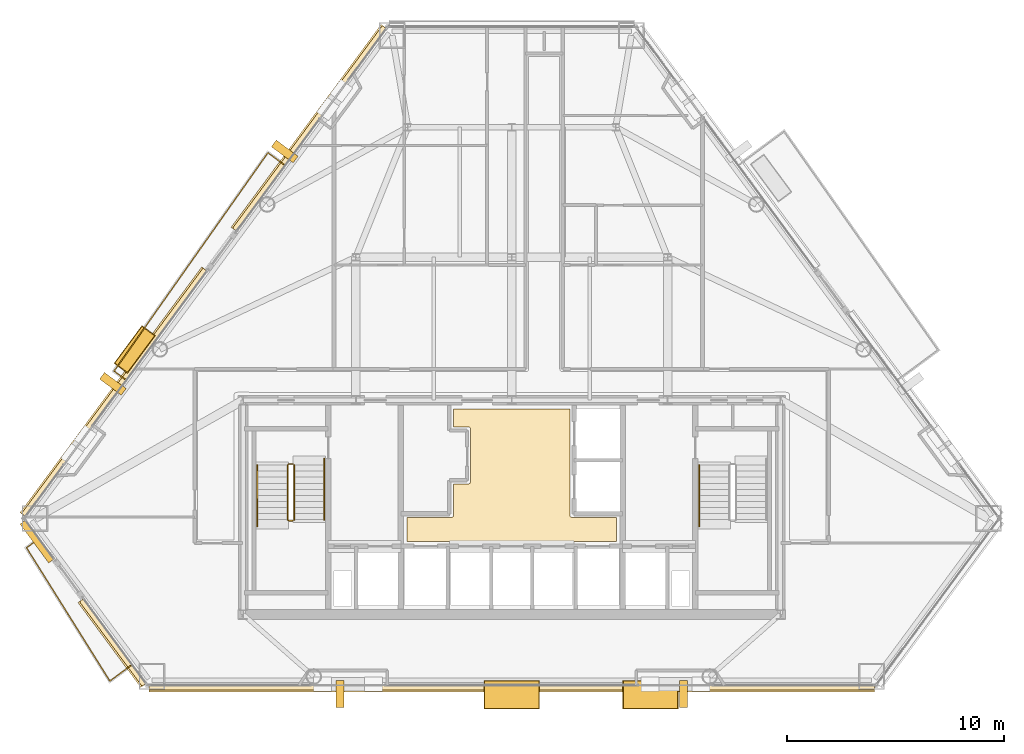
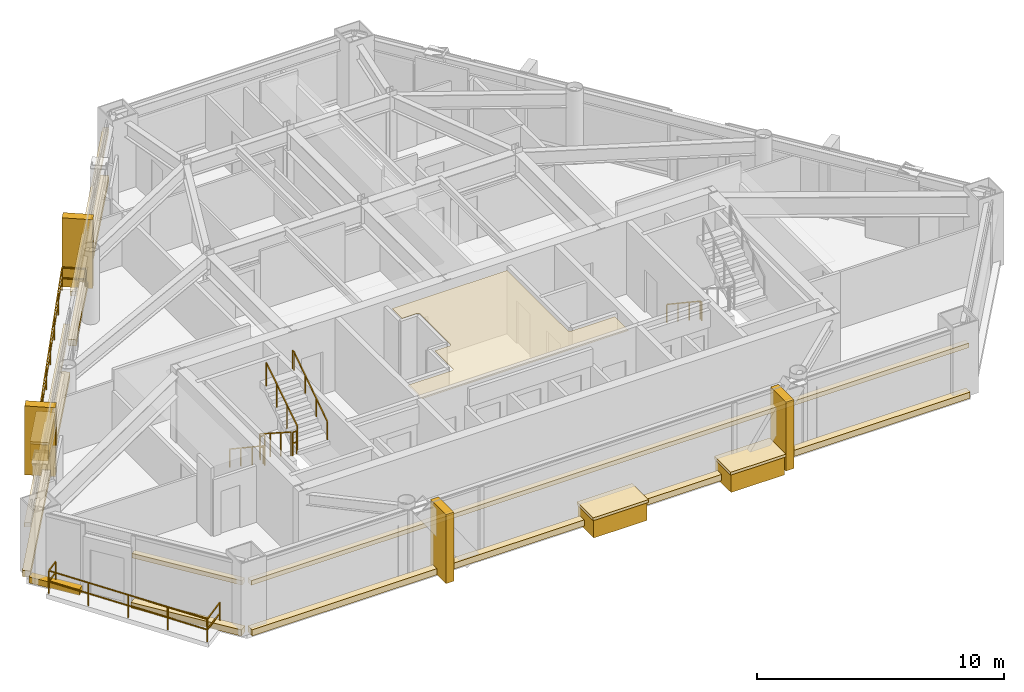
# One storey, part 10 of 11: 20 coverings, 9 railings.
"""IFC4 building model written with IfcOpenShell, lengths in metres."""

from ifc_helpers import new_model, si_unit, direction, frame, origin, origin_2d, place, context, subcontext, project, spatial, polyline, rectangle, outline, extrude, material, layer, layer_set, type_object, element, save


model = new_model("IFC4")

# Units and contexts
model_context = context("Model", 3, precision=1e-05, world=origin(), true_north=direction((0.0, 1.0)))
body_context = subcontext(model_context, "Body", "Model", "MODEL_VIEW")
ifc_project = project(units=[si_unit("LENGTHUNIT", "METRE"), si_unit("AREAUNIT", "SQUARE_METRE"), si_unit("VOLUMEUNIT", "CUBIC_METRE"), si_unit("PLANEANGLEUNIT", "RADIAN"), si_unit("MASSUNIT", "GRAM", prefix="KILO")], contexts=[model_context])

# Site, building, storey
site_placement = place(None, origin())
site = spatial("IfcSite", under=ifc_project, at=site_placement, CompositionType="ELEMENT")
building_placement = place(site_placement, origin())
building = spatial("IfcBuilding", under=site, at=building_placement, Name="Talgorran Terracotta Tower", CompositionType="ELEMENT")
storey_placement = place(building_placement, frame((0.0, 0.0, 122.10009765625)))
storey = spatial("IfcBuildingStorey", under=building, at=storey_placement, Name="L31", CompositionType="ELEMENT", Elevation=122.10009765625)

# Coverings
ifc_material_1 = material(Name="Kiln-Fired Terracotta Ochre Ceramic", Category="masonry")
ifc_layer_1 = layer(ifc_material_1, 0.179931640625, Name="COV_BAGUETTE_TERRACOTTA_SCREEN")
ifc_layer_set_1 = layer_set([ifc_layer_1], Name="Kiln-Fired Terracotta Ochre Ceramic")
covering_type_1 = type_object("IfcCoveringType", Name="COV_BAGUETTE_TERRACOTTA_SCREEN", PredefinedType="CLADDING", material=ifc_layer_set_1)
covering_1_placement = place(storey_placement, frame((-18.408203125, -15.384033203125, 2.41015625), z_axis=(0.0, 0.0, 1.0), x_axis=(0.594640382106, -0.803991800934, 0.0)))
element("IfcCovering", 1, at=covering_1_placement, inside=storey, type_object=covering_type_1, Name="L31 Terracotta Baguette Solar Screen Assembly F11", PredefinedType="CLADDING", context=body_context, shape_type="SweptSolid", body=[
    extrude(rectangle(XDim=4.851318359375, YDim=0.260009765625, at=origin_2d()), origin(), (0.0, 0.0, 1.0), 0.219970703125),
])
covering_2_placement = place(storey_placement, frame((0.0, -17.46337890625, 2.41015625), z_axis=(0.0, 0.0, 1.0), x_axis=(1.0, 0.0, 0.0)))
element("IfcCovering", 2, at=covering_2_placement, inside=storey, type_object=covering_type_1, Name="L31 Terracotta Baguette Solar Screen Assembly F1", PredefinedType="CLADDING", context=body_context, shape_type="SweptSolid", body=[
    extrude(rectangle(XDim=33.5, YDim=0.260009765625, at=origin_2d()), origin(), (0.0, 0.0, 1.0), 0.219970703125),
])
covering_3_placement = place(storey_placement, frame((-9.326904296875, 8.3388671875, 2.41015625), z_axis=(0.0, 0.0, 1.0), x_axis=(-0.594640382106, -0.803991800934, 0.0)))
element("IfcCovering", 3, at=covering_3_placement, inside=storey, type_object=covering_type_1, Name="L31 Terracotta Baguette Solar Screen Assembly F60", PredefinedType="CLADDING", context=body_context, shape_type="SweptSolid", body=[
    extrude(rectangle(XDim=11.626953125, YDim=0.260009765625, at=origin_2d()), origin(), (0.0, 0.0, 1.0), 0.219970703125),
])
covering_4_placement = place(storey_placement, frame((-18.34130859375, -3.84912109375, 2.41015625), z_axis=(0.0, 0.0, 1.0), x_axis=(-0.594640382106, -0.803991800934, 0.0)))
element("IfcCovering", 4, at=covering_4_placement, inside=storey, type_object=covering_type_1, Name="L31 Terracotta Baguette Solar Screen Assembly F61", PredefinedType="CLADDING", context=body_context, shape_type="SweptSolid", body=[
    extrude(rectangle(XDim=14.091796875, YDim=0.260009765625, at=origin_2d()), origin(), (0.0, 0.0, 1.0), 0.219970703125),
])
ifc_material_2 = material(Name="Flush Moisture-Resistant Plaster")
ifc_layer_2 = layer(ifc_material_2, 0.01806640625, Name="COV_CEIL_PLASTER")
ifc_layer_set_2 = layer_set([ifc_layer_2], Name="Flush Moisture-Resistant Plaster")
covering_type_2 = type_object("IfcCoveringType", Name="COV_CEIL_PLASTER", PredefinedType="CEILING", material=ifc_layer_set_2)
covering_5_placement = place(storey_placement, frame((0.0, 0.0, 3.260009765625)))
element("IfcCovering", 5, at=covering_5_placement, inside=storey, type_object=covering_type_2, Name="CEIL-L31-1", PredefinedType="CEILING", context=body_context, shape_type="SweptSolid", body=[
    extrude(outline(polyline([(2.679931640625, -4.6201171875), (2.679931640625, -9.5), (2.6806640625, -9.51171875), (2.682373046875, -9.5234375), (2.685302734375, -9.534912109375), (2.689208984375, -9.5458984375), (2.694091796875, -9.556640625), (2.7001953125, -9.566650390625), (2.707275390625, -9.576171875), (2.715087890625, -9.5849609375), (2.723876953125, -9.5927734375), (2.7333984375, -9.599853515625), (2.743408203125, -9.605712890625), (2.754150390625, -9.61083984375), (2.76513671875, -9.61474609375), (2.776611328125, -9.61767578125), (2.7880859375, -9.619384765625), (2.800048828125, -9.6201171875), (4.830078125, -9.6201171875), (4.830078125, -10.72998046875), (-4.830078125, -10.72998046875), (-4.830078125, -9.6201171875), (-2.800048828125, -9.6201171875), (-2.7880859375, -9.619384765625), (-2.776611328125, -9.61767578125), (-2.76513671875, -9.61474609375), (-2.754150390625, -9.61083984375), (-2.743408203125, -9.605712890625), (-2.7333984375, -9.599853515625), (-2.723876953125, -9.5927734375), (-2.715087890625, -9.5849609375), (-2.707275390625, -9.576171875), (-2.7001953125, -9.566650390625), (-2.694091796875, -9.556640625), (-2.689208984375, -9.5458984375), (-2.685302734375, -9.534912109375), (-2.682373046875, -9.5234375), (-2.6806640625, -9.51171875), (-2.679931640625, -9.5), (-2.679931640625, -8.070068359375), (-2.02001953125, -8.070068359375), (-2.00830078125, -8.0693359375), (-1.99658203125, -8.067626953125), (-1.985107421875, -8.064697265625), (-1.97412109375, -8.060791015625), (-1.96337890625, -8.055908203125), (-1.953369140625, -8.0498046875), (-1.94384765625, -8.042724609375), (-1.93505859375, -8.034912109375), (-1.92724609375, -8.026123046875), (-1.920166015625, -8.0166015625), (-1.914306640625, -8.006591796875), (-1.9091796875, -7.995849609375), (-1.9052734375, -7.98486328125), (-1.90234375, -7.973388671875), (-1.900634765625, -7.9619140625), (-1.89990234375, -7.949951171875), (-1.89990234375, -5.550048828125), (-1.900634765625, -5.5380859375), (-1.90234375, -5.526611328125), (-1.9052734375, -5.51513671875), (-1.9091796875, -5.504150390625), (-1.914306640625, -5.493408203125), (-1.920166015625, -5.4833984375), (-1.92724609375, -5.473876953125), (-1.93505859375, -5.465087890625), (-1.94384765625, -5.457275390625), (-1.953369140625, -5.4501953125), (-1.96337890625, -5.444091796875), (-1.97412109375, -5.439208984375), (-1.985107421875, -5.435302734375), (-1.99658203125, -5.432373046875), (-2.00830078125, -5.4306640625), (-2.02001953125, -5.429931640625), (-2.679931640625, -5.429931640625), (-2.679931640625, -4.6201171875), (2.679931640625, -4.6201171875)])), origin(), (0.0, 0.0, 1.0), 0.019775390625),
])
ifc_material_3 = material(Name="Honed Limestone and Terracotta Planter", Category="masonry")
ifc_layer_3 = layer(ifc_material_3, 0.1201171875, Name="COV_PLANTER_BOX")
ifc_layer_set_3 = layer_set([ifc_layer_3], Name="Honed Limestone and Terracotta Planter")
covering_type_3 = type_object("IfcCoveringType", Name="COV_PLANTER_BOX", PredefinedType="CLADDING", material=ifc_layer_set_3)
for number, where, z_axis, x_axis, name in (
    (6, (0.0, -17.80322265625, -0.18017578125), (0.0, 0.0, 1.0), (1.0, 0.0, 0.0), "L31 Staggered South Facade Planter Box 1"),
    (7, (6.41455078125, -17.80322265625, -0.18017578125), (0.0, 0.0, 1.0), (1.0, 0.0, 0.0), "L31 Staggered South Facade Planter Box 2"),
):
    element("IfcCovering", number, at=place(storey_placement, frame(where, z_axis=z_axis, x_axis=x_axis)), inside=storey, type_object=covering_type_3, Name=name, PredefinedType="CLADDING", context=body_context, shape_type="SweptSolid", body=[
        extrude(rectangle(XDim=2.5, YDim=1.25, at=origin_2d()), origin(), (0.0, 0.0, 1.0), 0.919921875),
    ])
covering_6_placement = place(storey_placement, frame((-17.41015625, -1.858642578125, -0.02001953125), z_axis=(0.0, 0.0, 1.0), x_axis=(-0.594640382106, -0.803991800934, 0.0)))
element("IfcCovering", 8, at=covering_6_placement, inside=storey, type_object=covering_type_3, Name="L31 Staggered Balcony Planter Box BAL-NW", PredefinedType="CLADDING", context=body_context, shape_type="SweptSolid", body=[
    extrude(rectangle(XDim=2.10009765625, YDim=0.719970703125, at=origin_2d()), origin(), (0.0, 0.0, 1.0), 0.860107421875),
])
ifc_material_4 = material(Name="Kiln-Fired Terracotta Planter Rim", Category="masonry")
ifc_layer_4 = layer(ifc_material_4, 0.10009765625, Name="COV_PLANTER_RIM")
ifc_layer_set_4 = layer_set([ifc_layer_4], Name="Kiln-Fired Terracotta Planter Rim")
covering_type_4 = type_object("IfcCoveringType", Name="COV_PLANTER_RIM", PredefinedType="CLADDING", material=ifc_layer_set_4)
for number, where, z_axis, x_axis, name in (
    (9, (0.0, -17.80322265625, 0.7099609375), (0.0, 0.0, 1.0), (1.0, 0.0, 0.0), "L31 South Planter Terracotta Rim 1"),
    (10, (6.41455078125, -17.80322265625, 0.7099609375), (0.0, 0.0, 1.0), (1.0, 0.0, 0.0), "L31 South Planter Terracotta Rim 2"),
):
    element("IfcCovering", number, at=place(storey_placement, frame(where, z_axis=z_axis, x_axis=x_axis)), inside=storey, type_object=covering_type_4, Name=name, PredefinedType="CLADDING", context=body_context, shape_type="SweptSolid", body=[
        extrude(rectangle(XDim=2.580078125, YDim=1.320068359375, at=origin_2d()), origin(), (0.0, 0.0, 1.0), 0.139892578125),
    ])
covering_7_placement = place(storey_placement, frame((-17.41015625, -1.858642578125, 0.7998046875), z_axis=(0.0, 0.0, 1.0), x_axis=(-0.594640382106, -0.803991800934, 0.0)))
element("IfcCovering", 11, at=covering_7_placement, inside=storey, type_object=covering_type_4, Name="L31 Balcony Planter Terracotta Rim BAL-NW", PredefinedType="CLADDING", context=body_context, shape_type="SweptSolid", body=[
    extrude(rectangle(XDim=2.179931640625, YDim=0.780029296875, at=origin_2d()), origin(), (0.0, 0.0, 1.0), 0.1201171875),
])
ifc_material_5 = material(Name="Honed Limestone Cladding", Category="masonry")
ifc_layer_5 = layer(ifc_material_5, 0.094970703125, Name="COV_PORTAL_LIME")
ifc_layer_set_5 = layer_set([ifc_layer_5], Name="Honed Limestone Cladding")
covering_type_5 = type_object("IfcCoveringType", Name="COV_PORTAL_LIME", PredefinedType="CLADDING", material=ifc_layer_set_5)
for number, where, z_axis, x_axis, name in (
    (12, (-7.933837890625, -17.76318359375, -0.050048828125), (0.0, 0.0, 1.0), (1.0, 0.0, 0.0), "L31 White Striped Portal Fin F1-1"),
    (13, (-10.483154296875, 7.280029296875, -0.050048828125), (0.0, 0.0, 1.0), (-0.594640382106, -0.803991800934, 0.0), "L31 White Striped Portal Fin F5-1"),
):
    element("IfcCovering", number, at=place(storey_placement, frame(where, z_axis=z_axis, x_axis=x_axis)), inside=storey, type_object=covering_type_5, Name=name, PredefinedType="CLADDING", context=body_context, shape_type="SweptSolid", body=[
        extrude(rectangle(XDim=0.3798828125, YDim=1.25, at=origin_2d()), origin(), (0.0, 0.0, 1.0), 3.39990234375),
    ])
ifc_material_6 = material(Name="Kiln-Fired Terracotta Cladding", Category="masonry")
ifc_layer_6 = layer(ifc_material_6, 0.090087890625, Name="COV_PORTAL_TERRA")
ifc_layer_set_6 = layer_set([ifc_layer_6], Name="Kiln-Fired Terracotta Cladding")
covering_type_6 = type_object("IfcCoveringType", Name="COV_PORTAL_TERRA", PredefinedType="CLADDING", material=ifc_layer_set_6)
covering_8_placement = place(storey_placement, frame((-21.90673828125, -10.720947265625, -0.0400390625), z_axis=(0.0, 0.0, 1.0), x_axis=(0.594654414319, -0.803981422379, 0.0)))
element("IfcCovering", 14, at=covering_8_placement, inside=storey, type_object=covering_type_6, Name="L31 Striped Postmodern Portal Cladding Band F10", PredefinedType="CLADDING", context=body_context, shape_type="SweptSolid", body=[
    extrude(rectangle(XDim=2.227294921875, YDim=0.340087890625, at=origin_2d()), origin(), (0.0, 0.0, 1.0), 0.300048828125),
])
covering_9_placement = place(storey_placement, frame((-18.4404296875, -15.407958984375, -0.0400390625), z_axis=(0.0, 0.0, 1.0), x_axis=(0.594640382106, -0.803991800934, 0.0)))
element("IfcCovering", 15, at=covering_9_placement, inside=storey, type_object=covering_type_6, Name="L31 Striped Postmodern Portal Cladding Band F11", PredefinedType="CLADDING", context=body_context, shape_type="SweptSolid", body=[
    extrude(rectangle(XDim=4.871337890625, YDim=0.340087890625, at=origin_2d()), origin(), (0.0, 0.0, 1.0), 0.300048828125),
])
covering_10_placement = place(storey_placement, frame((0.0, -17.50341796875, -0.0400390625), z_axis=(0.0, 0.0, 1.0), x_axis=(1.0, 0.0, 0.0)))
element("IfcCovering", 16, at=covering_10_placement, inside=storey, type_object=covering_type_6, Name="L31 Striped Postmodern Portal Cladding Band F1", PredefinedType="CLADDING", context=body_context, shape_type="SweptSolid", body=[
    extrude(rectangle(XDim=33.52001953125, YDim=0.340087890625, at=origin_2d()), origin(), (0.0, 0.0, 1.0), 0.300048828125),
])
covering_11_placement = place(storey_placement, frame((-9.359130859375, 8.362548828125, -0.0400390625), z_axis=(0.0, 0.0, 1.0), x_axis=(-0.594640382106, -0.803991800934, 0.0)))
element("IfcCovering", 17, at=covering_11_placement, inside=storey, type_object=covering_type_6, Name="L31 Striped Postmodern Portal Cladding Band F60", PredefinedType="CLADDING", context=body_context, shape_type="SweptSolid", body=[
    extrude(rectangle(XDim=11.64697265625, YDim=0.340087890625, at=origin_2d()), origin(), (0.0, 0.0, 1.0), 0.300048828125),
])
covering_12_placement = place(storey_placement, frame((-18.373291015625, -3.825439453125, -0.0400390625), z_axis=(0.0, 0.0, 1.0), x_axis=(-0.594640382106, -0.803991800934, 0.0)))
element("IfcCovering", 18, at=covering_12_placement, inside=storey, type_object=covering_type_6, Name="L31 Striped Postmodern Portal Cladding Band F61", PredefinedType="CLADDING", context=body_context, shape_type="SweptSolid", body=[
    extrude(rectangle(XDim=14.11181640625, YDim=0.340087890625, at=origin_2d()), origin(), (0.0, 0.0, 1.0), 0.300048828125),
])
for number, where, z_axis, x_axis, name in (
    (19, (7.933837890625, -17.76318359375, -0.050048828125), (0.0, 0.0, 1.0), (1.0, 0.0, 0.0), "L31 Terracotta Striped Portal Fin F1-2"),
    (20, (-18.4169921875, -3.447021484375, -0.050048828125), (0.0, 0.0, 1.0), (-0.594640382106, -0.803991800934, 0.0), "L31 Terracotta Striped Portal Fin F5-2"),
):
    element("IfcCovering", number, at=place(storey_placement, frame(where, z_axis=z_axis, x_axis=x_axis)), inside=storey, type_object=covering_type_6, Name=name, PredefinedType="CLADDING", context=body_context, shape_type="SweptSolid", body=[
        extrude(rectangle(XDim=0.3798828125, YDim=1.25, at=origin_2d()), origin(), (0.0, 0.0, 1.0), 3.39990234375),
    ])

# Railings
ifc_material_7 = material(Name="Laminated Glass and Stainless Steel 316", Category="steel")
railing_type_1 = type_object("IfcRailingType", Name="RL_BALCONY_1150", PredefinedType="BALUSTRADE", material=ifc_material_7)
railing_1_placement = place(storey_placement, frame((-10.478515625, 6.6474609375, 0.0)))
element("IfcRailing", 21, at=railing_1_placement, inside=storey, type_object=railing_type_1, Name="RL-L31-BAL-BAL-NW", PredefinedType="BALUSTRADE", context=body_context, shape_type="SweptSolid", body=[
    extrude(rectangle(XDim=0.048095703125, YDim=0.048095703125, at=origin_2d()), frame((0.0, 0.0, 1.1259765625), z_axis=(-0.804008335653, 0.594618025458, 0.0), x_axis=(-0.594618025458, -0.804008335653, 0.0)), (0.0, 0.0, 1.0), 0.9677734375),
    extrude(rectangle(XDim=0.048095703125, YDim=0.048095703125, at=origin_2d()), frame((0.0, 0.0, 0.597900390625), z_axis=(-0.804008335653, 0.594618025458, 0.0), x_axis=(-0.594618025458, -0.804008335653, 0.0)), (0.0, 0.0, 1.0), 0.9677734375),
    extrude(rectangle(XDim=0.048095703125, YDim=0.048095703125, at=origin_2d()), frame((-0.778076171875, 0.575439453125, 1.1259765625), z_axis=(-0.576034100729, -0.817425663163, 0.0), x_axis=(0.817425663163, -0.576034100729, 0.0)), (0.0, 0.0, 1.0), 12.333984375),
    extrude(rectangle(XDim=0.048095703125, YDim=0.048095703125, at=origin_2d()), frame((-0.778076171875, 0.575439453125, 0.597900390625), z_axis=(-0.576034100729, -0.817425663163, 0.0), x_axis=(0.817425663163, -0.576034100729, 0.0)), (0.0, 0.0, 1.0), 12.333984375),
    extrude(rectangle(XDim=0.048095703125, YDim=0.048095703125, at=origin_2d()), frame((-7.8828125, -9.506591796875, 1.1259765625), z_axis=(0.803961215762, -0.594681732989, 0.0), x_axis=(0.594681732989, 0.803961215762, 0.0)), (0.0, 0.0, 1.0), 0.684814453125),
    extrude(rectangle(XDim=0.048095703125, YDim=0.048095703125, at=origin_2d()), frame((-7.8828125, -9.506591796875, 0.597900390625), z_axis=(0.803961215762, -0.594681732989, 0.0), x_axis=(0.594681732989, 0.803961215762, 0.0)), (0.0, 0.0, 1.0), 0.684814453125),
    extrude(rectangle(XDim=0.0419921875, YDim=0.0419921875, at=origin_2d()), origin(), (0.0, 0.0, 1.0), 1.101806640625),
    extrude(rectangle(XDim=0.0419921875, YDim=0.0419921875, at=origin_2d()), frame((-0.778076171875, 0.575439453125, 0.0)), (0.0, 0.0, 1.0), 1.101806640625),
    extrude(rectangle(XDim=0.0419921875, YDim=0.0419921875, at=origin_2d()), frame((-1.79296875, -0.86474609375, 0.0)), (0.0, 0.0, 1.0), 1.101806640625),
    extrude(rectangle(XDim=0.0419921875, YDim=0.0419921875, at=origin_2d()), frame((-2.80810546875, -2.30517578125, 0.0)), (0.0, 0.0, 1.0), 1.101806640625),
    extrude(rectangle(XDim=0.0419921875, YDim=0.0419921875, at=origin_2d()), frame((-3.822998046875, -3.745361328125, 0.0)), (0.0, 0.0, 1.0), 1.101806640625),
    extrude(rectangle(XDim=0.0419921875, YDim=0.0419921875, at=origin_2d()), frame((-4.837890625, -5.185791015625, 0.0)), (0.0, 0.0, 1.0), 1.101806640625),
    extrude(rectangle(XDim=0.0419921875, YDim=0.0419921875, at=origin_2d()), frame((-5.852783203125, -6.6259765625, 0.0)), (0.0, 0.0, 1.0), 1.101806640625),
    extrude(rectangle(XDim=0.0419921875, YDim=0.0419921875, at=origin_2d()), frame((-6.867919921875, -8.06640625, 0.0)), (0.0, 0.0, 1.0), 1.101806640625),
    extrude(rectangle(XDim=0.0419921875, YDim=0.0419921875, at=origin_2d()), frame((-7.8828125, -9.506591796875, 0.0)), (0.0, 0.0, 1.0), 1.101806640625),
    extrude(rectangle(XDim=0.0419921875, YDim=0.0419921875, at=origin_2d()), frame((-7.332275390625, -9.913818359375, 0.0)), (0.0, 0.0, 1.0), 1.101806640625),
])
railing_2_placement = place(storey_placement, frame((-21.84326171875, -10.605224609375, 0.0)))
element("IfcRailing", 22, at=railing_2_placement, inside=storey, type_object=railing_type_1, Name="RL-L31-BAL-BAL-SW", PredefinedType="BALUSTRADE", context=body_context, shape_type="SweptSolid", body=[
    extrude(rectangle(XDim=0.048095703125, YDim=0.048095703125, at=origin_2d()), frame((0.0, 0.0, 1.1259765625), z_axis=(-0.803935729404, -0.594716186922, 0.0), x_axis=(0.594716186922, -0.803935729404, 0.0)), (0.0, 0.0, 1.0), 0.696533203125),
    extrude(rectangle(XDim=0.048095703125, YDim=0.048095703125, at=origin_2d()), frame((0.0, 0.0, 0.597900390625), z_axis=(-0.803935729404, -0.594716186922, 0.0), x_axis=(0.594716186922, -0.803935729404, 0.0)), (0.0, 0.0, 1.0), 0.696533203125),
    extrude(rectangle(XDim=0.048095703125, YDim=0.048095703125, at=origin_2d()), frame((-0.56005859375, -0.414306640625, 1.1259765625), z_axis=(0.530174357392, -0.847888642903, 0.0), x_axis=(0.847888642903, 0.530174357392, 0.0)), (0.0, 0.0, 1.0), 7.255615234375),
    extrude(rectangle(XDim=0.048095703125, YDim=0.048095703125, at=origin_2d()), frame((-0.56005859375, -0.414306640625, 0.597900390625), z_axis=(0.530174357392, -0.847888642903, 0.0), x_axis=(0.847888642903, 0.530174357392, 0.0)), (0.0, 0.0, 1.0), 7.255615234375),
    extrude(rectangle(XDim=0.048095703125, YDim=0.048095703125, at=origin_2d()), frame((3.28662109375, -6.566162109375, 1.1259765625), z_axis=(0.804043470888, 0.594570514676, 0.0), x_axis=(-0.594570514676, 0.804043470888, 0.0)), (0.0, 0.0, 1.0), 1.26220703125),
    extrude(rectangle(XDim=0.048095703125, YDim=0.048095703125, at=origin_2d()), frame((3.28662109375, -6.566162109375, 0.597900390625), z_axis=(0.804043470888, 0.594570514676, 0.0), x_axis=(-0.594570514676, 0.804043470888, 0.0)), (0.0, 0.0, 1.0), 1.26220703125),
    extrude(rectangle(XDim=0.0419921875, YDim=0.0419921875, at=origin_2d()), origin(), (0.0, 0.0, 1.0), 1.101806640625),
    extrude(rectangle(XDim=0.0419921875, YDim=0.0419921875, at=origin_2d()), frame((-0.56005859375, -0.414306640625, 0.0)), (0.0, 0.0, 1.0), 1.101806640625),
    extrude(rectangle(XDim=0.0419921875, YDim=0.0419921875, at=origin_2d()), frame((0.401611328125, -1.9521484375, 0.0)), (0.0, 0.0, 1.0), 1.101806640625),
    extrude(rectangle(XDim=0.0419921875, YDim=0.0419921875, at=origin_2d()), frame((1.36328125, -3.490234375, 0.0)), (0.0, 0.0, 1.0), 1.101806640625),
    extrude(rectangle(XDim=0.0419921875, YDim=0.0419921875, at=origin_2d()), frame((2.324951171875, -5.0283203125, 0.0)), (0.0, 0.0, 1.0), 1.101806640625),
    extrude(rectangle(XDim=0.0419921875, YDim=0.0419921875, at=origin_2d()), frame((3.28662109375, -6.566162109375, 0.0)), (0.0, 0.0, 1.0), 1.101806640625),
    extrude(rectangle(XDim=0.0419921875, YDim=0.0419921875, at=origin_2d()), frame((4.301513671875, -5.815673828125, 0.0)), (0.0, 0.0, 1.0), 1.101806640625),
])
ifc_material_8 = material(Name="Steel S355 (300PLUS)", Category="steel")
railing_type_2 = type_object("IfcRailingType", Name="RL_HANDRAIL_920", PredefinedType="HANDRAIL", material=ifc_material_8)
railing_3_placement = place(storey_placement, frame((-11.75, -7.199951171875, 0.179931640625)))
element("IfcRailing", 23, at=railing_3_placement, inside=storey, type_object=railing_type_2, Name="L31 ST-01 stair handrail 1", PredefinedType="HANDRAIL", context=body_context, shape_type="SweptSolid", body=[
    extrude(rectangle(XDim=0.048095703125, YDim=0.048095703125, at=origin_2d()), frame((0.0, 0.0, 0.89599609375), z_axis=(0.0, -0.832038719335, 0.554717558338), x_axis=(1.0, 0.0, 0.0)), (0.0, 0.0, 1.0), 3.244873046875),
    extrude(rectangle(XDim=0.048095703125, YDim=0.048095703125, at=origin_2d()), frame((0.0, -2.699951171875, 2.69580078125), z_axis=(0.0, -1.0, 0.0), x_axis=(1.0, 0.0, 0.0)), (0.0, 0.0, 1.0), 0.1201171875),
    extrude(rectangle(XDim=0.0419921875, YDim=0.0419921875, at=origin_2d()), origin(), (0.0, 0.0, 1.0), 0.871826171875),
    extrude(rectangle(XDim=0.0419921875, YDim=0.0419921875, at=origin_2d()), frame((0.0, -0.89990234375, 0.60009765625)), (0.0, 0.0, 1.0), 0.871826171875),
    extrude(rectangle(XDim=0.0419921875, YDim=0.0419921875, at=origin_2d()), frame((0.0, -1.800048828125, 1.199951171875)), (0.0, 0.0, 1.0), 0.871826171875),
    extrude(rectangle(XDim=0.0419921875, YDim=0.0419921875, at=origin_2d()), frame((0.0, -2.699951171875, 1.800048828125)), (0.0, 0.0, 1.0), 0.871826171875),
    extrude(rectangle(XDim=0.0419921875, YDim=0.0419921875, at=origin_2d()), frame((0.0, -2.820068359375, 1.800048828125)), (0.0, 0.0, 1.0), 0.871826171875),
])
railing_4_placement = place(storey_placement, frame((-8.64990234375, -9.719970703125, 1.97998046875)))
element("IfcRailing", 24, at=railing_4_placement, inside=storey, type_object=railing_type_2, Name="L31 ST-01 stair handrail 2", PredefinedType="HANDRAIL", context=body_context, shape_type="SweptSolid", body=[
    extrude(rectangle(XDim=0.048095703125, YDim=0.048095703125, at=origin_2d()), frame((0.0, 0.0, 0.89599609375), z_axis=(0.0, 0.832073444223, 0.554665469827), x_axis=(-1.0, 0.0, 0.0)), (0.0, 0.0, 1.0), 3.244873046875),
    extrude(rectangle(XDim=0.048095703125, YDim=0.048095703125, at=origin_2d()), frame((0.0, 2.699951171875, 2.69580078125), z_axis=(0.0, 1.0, 0.0), x_axis=(-1.0, 0.0, 0.0)), (0.0, 0.0, 1.0), 0.1201171875),
    extrude(rectangle(XDim=0.0419921875, YDim=0.0419921875, at=origin_2d()), origin(), (0.0, 0.0, 1.0), 0.871826171875),
    extrude(rectangle(XDim=0.0419921875, YDim=0.0419921875, at=origin_2d()), frame((0.0, 0.89990234375, 0.599853515625)), (0.0, 0.0, 1.0), 0.871826171875),
    extrude(rectangle(XDim=0.0419921875, YDim=0.0419921875, at=origin_2d()), frame((0.0, 1.800048828125, 1.199951171875)), (0.0, 0.0, 1.0), 0.871826171875),
    extrude(rectangle(XDim=0.0419921875, YDim=0.0419921875, at=origin_2d()), frame((0.0, 2.699951171875, 1.7998046875)), (0.0, 0.0, 1.0), 0.871826171875),
    extrude(rectangle(XDim=0.0419921875, YDim=0.0419921875, at=origin_2d()), frame((0.0, 2.820068359375, 1.7998046875)), (0.0, 0.0, 1.0), 0.871826171875),
])
railing_5_placement = place(storey_placement, frame((8.64990234375, -7.199951171875, 0.179931640625)))
element("IfcRailing", 25, at=railing_5_placement, inside=storey, type_object=railing_type_2, Name="L31 ST-02 stair handrail 1", PredefinedType="HANDRAIL", context=body_context, shape_type="SweptSolid", body=[
    extrude(rectangle(XDim=0.048095703125, YDim=0.048095703125, at=origin_2d()), frame((0.0, 0.0, 0.89599609375), z_axis=(0.0, -0.832038719335, 0.554717558338), x_axis=(1.0, 0.0, 0.0)), (0.0, 0.0, 1.0), 3.244873046875),
    extrude(rectangle(XDim=0.048095703125, YDim=0.048095703125, at=origin_2d()), frame((0.0, -2.699951171875, 2.69580078125), z_axis=(0.0, -1.0, 0.0), x_axis=(1.0, 0.0, 0.0)), (0.0, 0.0, 1.0), 0.1201171875),
    extrude(rectangle(XDim=0.0419921875, YDim=0.0419921875, at=origin_2d()), origin(), (0.0, 0.0, 1.0), 0.871826171875),
    extrude(rectangle(XDim=0.0419921875, YDim=0.0419921875, at=origin_2d()), frame((0.0, -0.89990234375, 0.60009765625)), (0.0, 0.0, 1.0), 0.871826171875),
    extrude(rectangle(XDim=0.0419921875, YDim=0.0419921875, at=origin_2d()), frame((0.0, -1.800048828125, 1.199951171875)), (0.0, 0.0, 1.0), 0.871826171875),
    extrude(rectangle(XDim=0.0419921875, YDim=0.0419921875, at=origin_2d()), frame((0.0, -2.699951171875, 1.800048828125)), (0.0, 0.0, 1.0), 0.871826171875),
    extrude(rectangle(XDim=0.0419921875, YDim=0.0419921875, at=origin_2d()), frame((0.0, -2.820068359375, 1.800048828125)), (0.0, 0.0, 1.0), 0.871826171875),
])
railing_type_3 = type_object("IfcRailingType", Name="RL_STAIR_GUARD", PredefinedType="GUARDRAIL", material=ifc_material_8)
railing_6_placement = place(storey_placement, frame((-10.35009765625, -7.199951171875, 0.179931640625)))
element("IfcRailing", 26, at=railing_6_placement, inside=storey, type_object=railing_type_3, Name="L31 ST-01 stair guard 1", PredefinedType="GUARDRAIL", context=body_context, shape_type="SweptSolid", body=[
    extrude(rectangle(XDim=0.048095703125, YDim=0.048095703125, at=origin_2d()), frame((0.0, 0.0, 1.15576171875), z_axis=(0.0, -0.841199657755, 0.540724639528), x_axis=(1.0, 0.0, 0.0)), (0.0, 0.0, 1.0), 2.995849609375),
    extrude(rectangle(XDim=0.0419921875, YDim=0.0419921875, at=origin_2d()), origin(), (0.0, 0.0, 1.0), 1.1318359375),
    extrude(rectangle(XDim=0.0419921875, YDim=0.0419921875, at=origin_2d()), frame((0.0, -0.840087890625, 0.5400390625)), (0.0, 0.0, 1.0), 1.1318359375),
    extrude(rectangle(XDim=0.0419921875, YDim=0.0419921875, at=origin_2d()), frame((0.0, -1.679931640625, 1.079833984375)), (0.0, 0.0, 1.0), 1.1318359375),
    extrude(rectangle(XDim=0.0419921875, YDim=0.0419921875, at=origin_2d()), frame((0.0, -2.52001953125, 1.619873046875)), (0.0, 0.0, 1.0), 1.1318359375),
])
railing_7_placement = place(storey_placement, frame((-10.300048828125, -9.77001953125, 1.7998046875)))
element("IfcRailing", 27, at=railing_7_placement, inside=storey, type_object=railing_type_3, Name="L31 ST-01 stair guard 2", PredefinedType="GUARDRAIL", context=body_context, shape_type="SweptSolid", body=[
    extrude(rectangle(XDim=0.048095703125, YDim=0.048095703125, at=origin_2d()), frame((0.0, 0.0, 1.15576171875), z_axis=(1.0, 0.0, 0.0), x_axis=(0.0, 1.0, 0.0)), (0.0, 0.0, 1.0), 0.199951171875),
    extrude(rectangle(XDim=0.048095703125, YDim=0.048095703125, at=origin_2d()), frame((0.0, 0.0, 0.613525390625), z_axis=(1.0, 0.0, 0.0), x_axis=(0.0, 1.0, 0.0)), (0.0, 0.0, 1.0), 0.199951171875),
    extrude(rectangle(XDim=0.0419921875, YDim=0.0419921875, at=origin_2d()), origin(), (0.0, 0.0, 1.0), 1.1318359375),
    extrude(rectangle(XDim=0.0419921875, YDim=0.0419921875, at=origin_2d()), frame((0.199951171875, 0.0, 0.0)), (0.0, 0.0, 1.0), 1.1318359375),
])
railing_8_placement = place(storey_placement, frame((-10.050048828125, -9.719970703125, 1.97998046875)))
element("IfcRailing", 28, at=railing_8_placement, inside=storey, type_object=railing_type_3, Name="L31 ST-01 stair guard 3", PredefinedType="GUARDRAIL", context=body_context, shape_type="SweptSolid", body=[
    extrude(rectangle(XDim=0.048095703125, YDim=0.048095703125, at=origin_2d()), frame((0.0, 0.0, 1.15576171875), z_axis=(0.0, 0.841199657755, 0.540724639528), x_axis=(-1.0, 0.0, 0.0)), (0.0, 0.0, 1.0), 2.995849609375),
    extrude(rectangle(XDim=0.0419921875, YDim=0.0419921875, at=origin_2d()), origin(), (0.0, 0.0, 1.0), 1.1318359375),
    extrude(rectangle(XDim=0.0419921875, YDim=0.0419921875, at=origin_2d()), frame((0.0, 0.840087890625, 0.5400390625)), (0.0, 0.0, 1.0), 1.1318359375),
    extrude(rectangle(XDim=0.0419921875, YDim=0.0419921875, at=origin_2d()), frame((0.0, 1.679931640625, 1.079833984375)), (0.0, 0.0, 1.0), 1.1318359375),
    extrude(rectangle(XDim=0.0419921875, YDim=0.0419921875, at=origin_2d()), frame((0.0, 2.52001953125, 1.619873046875)), (0.0, 0.0, 1.0), 1.1318359375),
])
railing_9_placement = place(storey_placement, frame((-10.300048828125, -7.14990234375, 0.0)))
element("IfcRailing", 29, at=railing_9_placement, inside=storey, type_object=railing_type_3, Name="L31 ST-01 stair guard 4", PredefinedType="GUARDRAIL", context=body_context, shape_type="SweptSolid", body=[
    extrude(rectangle(XDim=0.048095703125, YDim=0.048095703125, at=origin_2d()), frame((0.0, 0.0, 1.15576171875), z_axis=(1.0, 0.0, 0.0), x_axis=(0.0, 1.0, 0.0)), (0.0, 0.0, 1.0), 0.199951171875),
    extrude(rectangle(XDim=0.048095703125, YDim=0.048095703125, at=origin_2d()), frame((0.0, 0.0, 0.613525390625), z_axis=(1.0, 0.0, 0.0), x_axis=(0.0, 1.0, 0.0)), (0.0, 0.0, 1.0), 0.199951171875),
    extrude(rectangle(XDim=0.0419921875, YDim=0.0419921875, at=origin_2d()), origin(), (0.0, 0.0, 1.0), 1.1318359375),
    extrude(rectangle(XDim=0.0419921875, YDim=0.0419921875, at=origin_2d()), frame((0.199951171875, 0.0, 0.0)), (0.0, 0.0, 1.0), 1.1318359375),
])

save(model, "model.ifc")
